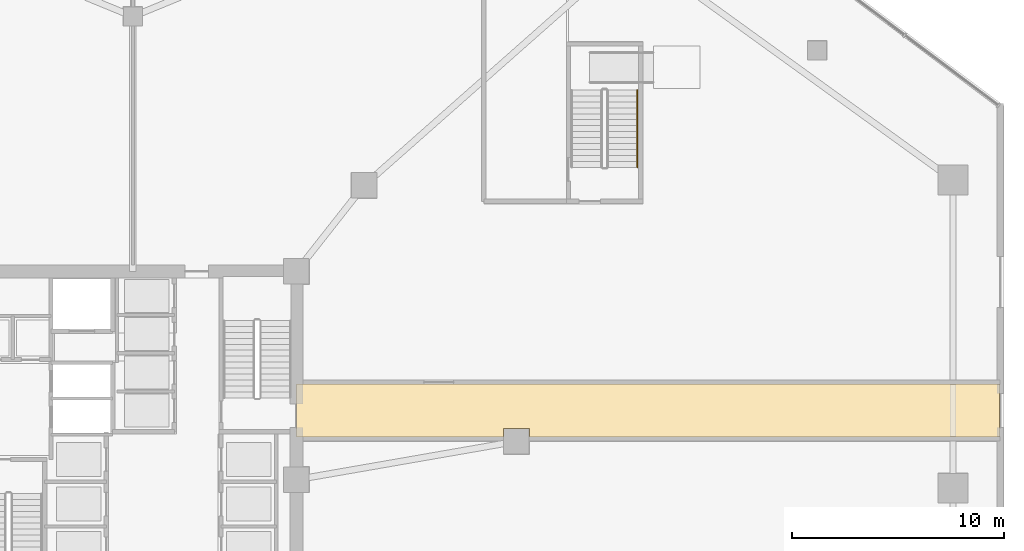
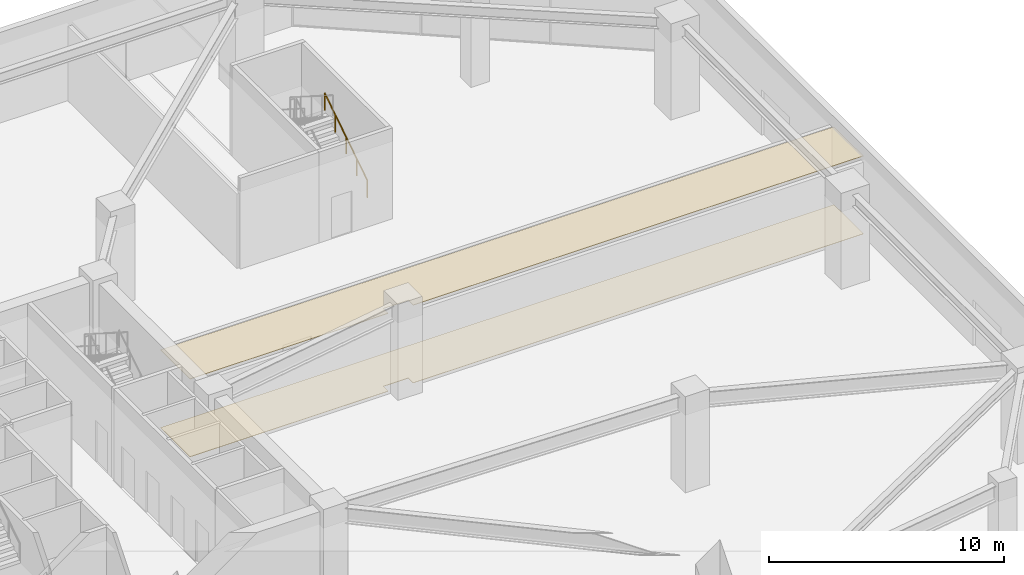
# One storey, part 20 of 22: 2 coverings, 1 railing.
"""IFC4 building model written with IfcOpenShell, lengths in metres."""

from ifc_helpers import new_model, si_unit, direction, frame, origin, origin_2d, place, context, subcontext, project, spatial, polyline, circle, outline, extrude, material, layer, layer_set, type_object, element, save


model = new_model("IFC4")

# Units and contexts
model_context = context("Model", 3, precision=1e-05, world=origin(), true_north=direction((0.0, 1.0)))
body_context = subcontext(model_context, "Body", "Model", "MODEL_VIEW")
ifc_project = project(units=[si_unit("LENGTHUNIT", "METRE"), si_unit("AREAUNIT", "SQUARE_METRE"), si_unit("VOLUMEUNIT", "CUBIC_METRE"), si_unit("PLANEANGLEUNIT", "RADIAN"), si_unit("MASSUNIT", "GRAM", prefix="KILO")], contexts=[model_context])

# Site, building, storey
site_placement = place(None, origin())
site = spatial("IfcSite", under=ifc_project, at=site_placement, CompositionType="ELEMENT")
building_placement = place(site_placement, origin())
building = spatial("IfcBuilding", under=site, at=building_placement, Name="Savorim Split Tower", CompositionType="ELEMENT")
storey_placement = place(building_placement, origin())
storey = spatial("IfcBuildingStorey", under=building, at=storey_placement, Name="L00", CompositionType="ELEMENT", Elevation=0.0)

# Coverings
ifc_material_1 = material(Name="Mineral Fibre Acoustic Ceiling")
ifc_layer_1 = layer(ifc_material_1, 0.02490234375)
ifc_layer_set_1 = layer_set([ifc_layer_1], Name="COV-CEIL-25")
covering_type_1 = type_object("IfcCoveringType", Name="COV-CEIL-25", PredefinedType="CEILING", material=ifc_layer_set_1)
covering_1_placement = place(storey_placement, frame((0.0, 0.0, 4.0400390625)))
element("IfcCovering", 1, at=covering_1_placement, inside=storey, type_object=covering_type_1, Name="L00 Exit Passage East Acoustic Ceiling", PredefinedType="CEILING", context=body_context, shape_type="SweptSolid", body=[
    extrude(outline(polyline([(40.780029296875, 4.89990234375), (7.699951171875, 4.89990234375), (7.699951171875, 2.39990234375), (17.439453125, 2.39990234375), (17.439453125, 2.8125), (18.659423828125, 2.8125), (18.659423828125, 2.39990234375), (40.780029296875, 2.39990234375), (40.780029296875, 4.89990234375)])), origin(), (0.0, 0.0, 1.0), 0.02490234375),
])
ifc_material_2 = material(Name="Porcelain Stoneware Flooring", Category="masonry")
ifc_layer_2 = layer(ifc_material_2, 0.02001953125)
ifc_layer_set_2 = layer_set([ifc_layer_2], Name="COV-FLOR-20")
covering_type_2 = type_object("IfcCoveringType", Name="COV-FLOR-20", PredefinedType="FLOORING", material=ifc_layer_set_2)
covering_2_placement = place(storey_placement, origin())
element("IfcCovering", 2, at=covering_2_placement, inside=storey, type_object=covering_type_2, Name="L00 Exit Passage East Porcelain Flooring", PredefinedType="FLOORING", context=body_context, shape_type="SweptSolid", body=[
    extrude(outline(polyline([(40.780029296875, 4.89990234375), (7.699951171875, 4.89990234375), (7.699951171875, 2.39990234375), (17.439453125, 2.39990234375), (17.439453125, 2.8125), (18.659423828125, 2.8125), (18.659423828125, 2.39990234375), (40.780029296875, 2.39990234375), (40.780029296875, 4.89990234375)])), origin(), (0.0, 0.0, 1.0), 0.02001953125),
])

# Railing
ifc_material_3 = material(Name="Galvanised Painted Steel Balustrade", Category="steel")
railing_type = type_object("IfcRailingType", Name="RLG-HR-900", PredefinedType="HANDRAIL", material=ifc_material_3)
railing_placement = place(storey_placement, frame((23.75, 15.10009765625, 0.178466796875)))
element("IfcRailing", 3, at=railing_placement, inside=storey, type_object=railing_type, Name="L00 ST-3 stair handrail 1", PredefinedType="HANDRAIL", context=body_context, shape_type="SweptSolid", body=[
    extrude(circle(Radius=0.02392578125, at=origin_2d()), frame((0.0, 0.0, 0.8759765625), z_axis=(0.0, 0.843111507901, 0.53773877045), x_axis=(-1.0, 0.0, 0.0)), (0.0, 0.0, 1.0), 4.317138671875),
    extrude(circle(Radius=0.02099609375, at=origin_2d()), origin(), (0.0, 0.0, 1.0), 0.851806640625),
    extrude(circle(Radius=0.02099609375, at=origin_2d()), frame((0.0, 0.909912109375, 0.580322265625)), (0.0, 0.0, 1.0), 0.851806640625),
    extrude(circle(Radius=0.02099609375, at=origin_2d()), frame((0.0, 1.81982421875, 1.16064453125)), (0.0, 0.0, 1.0), 0.851806640625),
    extrude(circle(Radius=0.02099609375, at=origin_2d()), frame((0.0, 2.72998046875, 1.7412109375)), (0.0, 0.0, 1.0), 0.851806640625),
    extrude(circle(Radius=0.02099609375, at=origin_2d()), frame((0.0, 3.639892578125, 2.321533203125)), (0.0, 0.0, 1.0), 0.851806640625),
])

save(model, "model.ifc")
